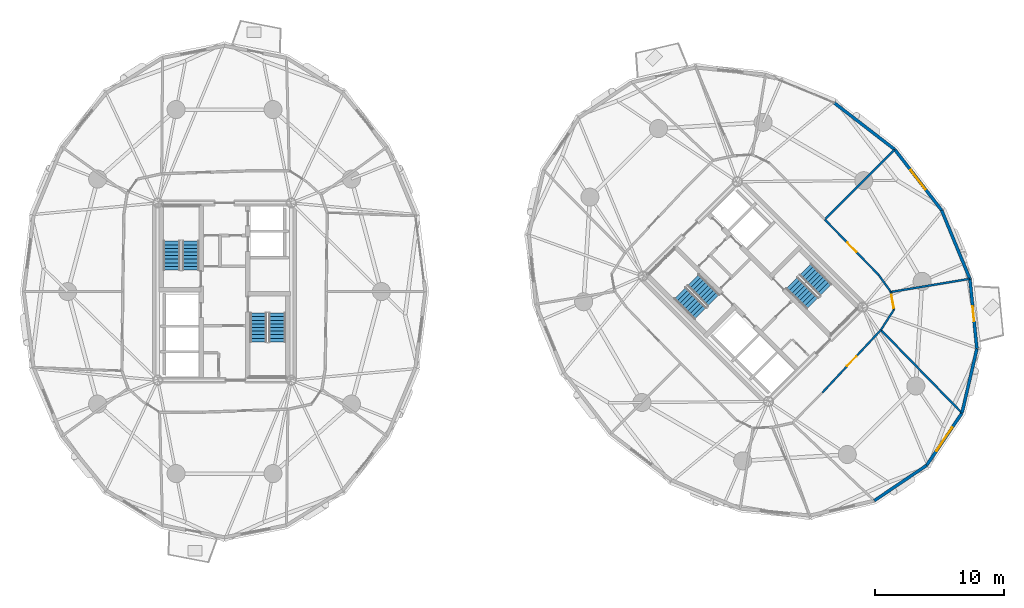
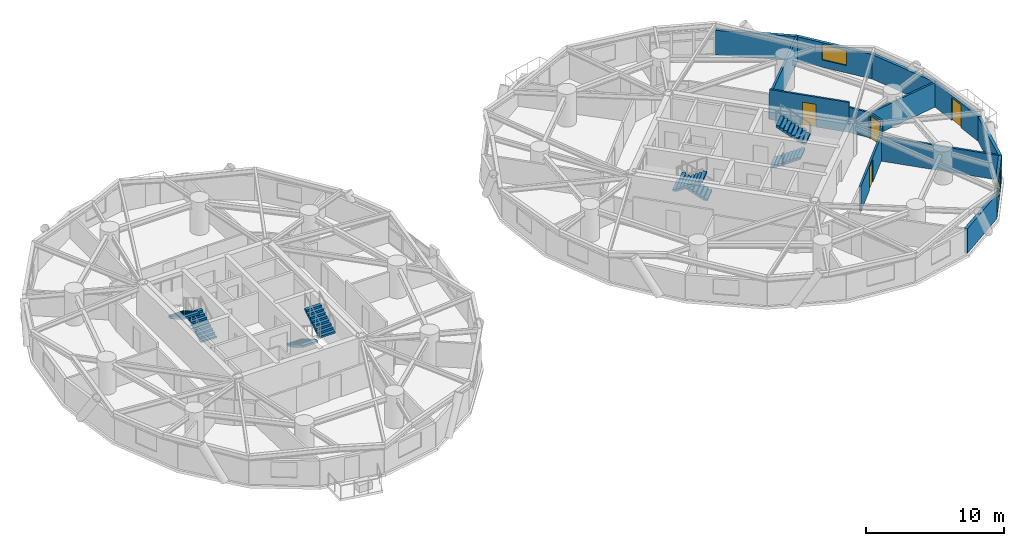
# One storey, part 14 of 17: 15 walls, 8 stair flights, 4 doors, 2 windows, 6 openings, 4 elements without a shape of their own.
"""IFC4 building model written with IfcOpenShell, lengths in metres."""

from ifc_helpers import new_model, si_unit, direction, frame, frame_2d, origin, place, context, subcontext, project, spatial, polyline, rectangle, outline, extrude, source, transform, mapped, material, layer, layer_set, type_object, element, fill, aggregate, save


model = new_model("IFC4")

# Units and contexts
model_context = context("Model", 3, precision=1e-05, world=origin(), true_north=direction((0.0, 1.0)))
body_context = subcontext(model_context, "Body", "Model", "MODEL_VIEW")
ifc_project = project(units=[si_unit("LENGTHUNIT", "METRE"), si_unit("AREAUNIT", "SQUARE_METRE"), si_unit("VOLUMEUNIT", "CUBIC_METRE"), si_unit("PLANEANGLEUNIT", "RADIAN"), si_unit("MASSUNIT", "GRAM", prefix="KILO")], contexts=[model_context])

# Site, building, storey
site_placement = place(None, origin())
site = spatial("IfcSite", under=ifc_project, at=site_placement, CompositionType="ELEMENT")
building_placement = place(site_placement, origin())
building = spatial("IfcBuilding", under=site, at=building_placement, Name="Cununo Teusaquillo Station Towers", CompositionType="ELEMENT")
storey_placement = place(building_placement, frame((0.0, 0.0, 78.8798828125)))
storey = spatial("IfcBuildingStorey", under=building, at=storey_placement, Name="L24", CompositionType="ELEMENT", Elevation=78.8798828125)

# Walls
ifc_material_1 = material(Name="Precast concrete C40/50", Category="concrete")
ifc_layer_1 = layer(ifc_material_1, 0.239990234375)
ifc_layer_set_1 = layer_set([ifc_layer_1], Name="Precast concrete C40/50")
wall_type_1 = type_object("IfcWallType", Name="WL-EXT-240", PredefinedType="SOLIDWALL", material=ifc_layer_set_1)
wall_1_placement = place(storey_placement, frame((63.811279296875, 39.145263671875, 0.0), z_axis=(0.0, 0.0, 1.0), x_axis=(0.791982052206, -0.61054437102, 0.0)))
element("IfcWall", 1, at=wall_1_placement, inside=storey, type_object=wall_type_1, Name="L24 Tower B Exterior Facade Wall C00", PredefinedType="SOLIDWALL", context=body_context, shape_type="SweptSolid", body=[
    extrude(rectangle(XDim=5.942138671875, YDim=0.239990234375, at=frame_2d((2.97119140625, 0.0))), origin(), (0.0, 0.0, 1.0), 2.17919921875),
])
wall_2_placement = place(storey_placement, frame((70.984619140625, 11.015380859375, 0.0), z_axis=(0.0, 0.0, 1.0), x_axis=(-0.828781148131, -0.559572880421, 0.0)))
element("IfcWall", 2, at=wall_2_placement, inside=storey, type_object=wall_type_1, Name="L24 Tower B Exterior Facade Wall C14", PredefinedType="SOLIDWALL", context=body_context, shape_type="SweptSolid", body=[
    extrude(rectangle(XDim=4.904541015625, YDim=0.239990234375, at=frame_2d((2.4521484375, 0.0))), origin(), (0.0, 0.0, 1.0), 2.17919921875),
])

# Wall, opening, window
wall_3_placement = place(storey_placement, frame((73.72900390625, 15.080078125, 0.0), z_axis=(0.0, 0.0, 1.0), x_axis=(-0.559572880421, -0.828781148131, 0.0)))
wall_3 = element("IfcWall", 3, at=wall_3_placement, inside=storey, type_object=wall_type_1, Name="L24 Tower B Exterior Facade Wall C15", PredefinedType="SOLIDWALL", context=body_context, shape_type="SweptSolid", body=[
    extrude(rectangle(XDim=4.904541015625, YDim=0.239990234375, at=frame_2d((2.4521484375, 0.0))), origin(), (0.0, 0.0, 1.0), 2.17919921875),
])
shared_shape_1 = source(origin(), body_context, "Body", "SweptSolid", [
    extrude(rectangle(XDim=2.199951171875, YDim=1.35009765625, at=frame_2d((1.10009765625, 0.675048828125))), frame((0.0, 0.1298828125, 0.0), z_axis=(0.0, -1.0, 0.0), x_axis=(1.0, 0.0, 0.0)), (0.0, 0.0, 1.0), 0.260009765625),
])
opening_1_placement = place(wall_3_placement, frame((1.35205078125, 0.0, 0.64990234375)))
opening_1 = element("IfcOpeningElement", 4, at=opening_1_placement, cuts=wall_3, Name="Opening WN-01", PredefinedType="OPENING", context=body_context, shape_type="MappedRepresentation", body=[
    mapped(shared_shape_1, transform((0.0, 0.0, 0.0), x_axis=(1.0, 0.0, 0.0), y_axis=(0.0, 1.0, 0.0), z_axis=(0.0, 0.0, 1.0), scale=1.0)),
])
ifc_material_2 = material(Name="Ceramic-fritted dark low-E double glazing", Category="glass")
window_type_1 = type_object("IfcWindowType", Name="WIN-FRIT-2200", PartitioningType="DOUBLE_PANEL_VERTICAL", PredefinedType="WINDOW", material=ifc_material_2)
shared_shape_2 = source(origin(), body_context, "Body", "SweptSolid", [
    extrude(rectangle(XDim=2.199951171875, YDim=1.35009765625, at=frame_2d((1.10009765625, 0.675048828125))), frame((0.0, 0.030029296875, 0.0), z_axis=(0.0, -1.0, 0.0), x_axis=(1.0, 0.0, 0.0)), (0.0, 0.0, 1.0), 0.06005859375),
])
window_1_placement = place(opening_1_placement, origin())
window_1 = element("IfcWindow", 5, at=window_1_placement, inside=storey, type_object=window_type_1, Name="L24 Tower B Facade Window C15", OverallHeight=1.35009765625, OverallWidth=2.199951171875, PartitioningType="DOUBLE_PANEL_VERTICAL", PredefinedType="WINDOW", context=body_context, shape_type="MappedRepresentation", body=[
    mapped(shared_shape_2, transform((0.0, 0.0, 0.0), x_axis=(1.0, 0.0, 0.0), y_axis=(0.0, 1.0, 0.0), z_axis=(0.0, 0.0, 1.0), scale=1.0)),
])
fill(opening_1, window_1)

# Wall
wall_4_placement = place(storey_placement, frame((74.885009765625, 20.066650390625, 0.0), z_axis=(0.0, 0.0, 1.0), x_axis=(-0.225834725257, -0.974165631126, 0.0)))
element("IfcWall", 6, at=wall_4_placement, inside=storey, type_object=wall_type_1, Name="L24 Tower B Exterior Facade Wall C16", PredefinedType="SOLIDWALL", context=body_context, shape_type="SweptSolid", body=[
    extrude(rectangle(XDim=5.118896484375, YDim=0.239990234375, at=frame_2d((2.5595703125, 0.0))), origin(), (0.0, 0.0, 1.0), 2.17919921875),
])

# Wall, opening, door
wall_5_placement = place(storey_placement, frame((74.33935546875, 25.4873046875, 0.0), z_axis=(0.0, 0.0, 1.0), x_axis=(0.10015591906, -0.994971754311, 0.0)))
wall_5 = element("IfcWall", 7, at=wall_5_placement, inside=storey, type_object=wall_type_1, Name="L24 Tower B Exterior Facade Wall C17", PredefinedType="SOLIDWALL", context=body_context, shape_type="SweptSolid", body=[
    extrude(rectangle(XDim=5.447998046875, YDim=0.239990234375, at=frame_2d((2.72412109375, 0.0))), origin(), (0.0, 0.0, 1.0), 2.17919921875),
])
shared_shape_3 = source(origin(), body_context, "Body", "SweptSolid", [
    extrude(rectangle(XDim=1.14990234375, YDim=2.0048828125, at=frame_2d((0.574951171875, 1.00244140625))), frame((0.0, 0.1298828125, 0.0), z_axis=(0.0, -1.0, 0.0), x_axis=(1.0, 0.0, 0.0)), (0.0, 0.0, 1.0), 0.260009765625),
])
opening_2_placement = place(wall_5_placement, frame((2.14892578125, 0.0, 0.0)))
opening_2 = element("IfcOpeningElement", 8, at=opening_2_placement, cuts=wall_5, Name="Opening ED-03", PredefinedType="OPENING", context=body_context, shape_type="MappedRepresentation", body=[
    mapped(shared_shape_3, transform((0.0, 0.0, 0.0), x_axis=(1.0, 0.0, 0.0), y_axis=(0.0, 1.0, 0.0), z_axis=(0.0, 0.0, 1.0), scale=1.0)),
])
ifc_material_3 = material(Name="Anodised dark bronze aluminium EN AW-6063-T6", Category="aluminium")
door_type_1 = type_object("IfcDoorType", Name="DR-EXT-BAL", OperationType="NOTDEFINED", PredefinedType="DOOR", material=ifc_material_3)
shared_shape_4 = source(origin(), body_context, "Body", "SweptSolid", [
    extrude(rectangle(XDim=1.14990234375, YDim=2.0048828125, at=frame_2d((0.574951171875, 1.00244140625))), frame((0.0, 0.02490234375, 0.0), z_axis=(0.0, -1.0, 0.0), x_axis=(1.0, 0.0, 0.0)), (0.0, 0.0, 1.0), 0.050048828125),
])
door_1_placement = place(opening_2_placement, origin())
door_1 = element("IfcDoor", 9, at=door_1_placement, inside=storey, type_object=door_type_1, Name="L24 Tower B Tree Balcony Door C17", OperationType="SINGLE_SWING_LEFT", OverallHeight=2.0048828125, OverallWidth=1.14990234375, PredefinedType="DOOR", context=body_context, shape_type="MappedRepresentation", body=[
    mapped(shared_shape_4, transform((0.0, 0.0, 0.0), x_axis=(1.0, 0.0, 0.0), y_axis=(0.0, 1.0, 0.0), z_axis=(0.0, 0.0, 1.0), scale=1.0)),
])
fill(opening_2, door_1)

# Wall
wall_6_placement = place(storey_placement, frame((72.145263671875, 30.811279296875, 0.0), z_axis=(0.0, 0.0, 1.0), x_axis=(0.381027003055, -0.924563909604, 0.0)))
element("IfcWall", 10, at=wall_6_placement, inside=storey, type_object=wall_type_1, Name="L24 Tower B Exterior Facade Wall C18", PredefinedType="SOLIDWALL", context=body_context, shape_type="SweptSolid", body=[
    extrude(rectangle(XDim=5.75830078125, YDim=0.239990234375, at=frame_2d((2.879150390625, 0.0))), origin(), (0.0, 0.0, 1.0), 2.17919921875),
])

# Wall, opening, window
wall_7_placement = place(storey_placement, frame((68.517333984375, 35.517333984375, 0.0), z_axis=(0.0, 0.0, 1.0), x_axis=(0.61054437102, -0.791982052206, 0.0)))
wall_7 = element("IfcWall", 11, at=wall_7_placement, inside=storey, type_object=wall_type_1, Name="L24 Tower B Exterior Facade Wall C19", PredefinedType="SOLIDWALL", context=body_context, shape_type="SweptSolid", body=[
    extrude(rectangle(XDim=5.942138671875, YDim=0.239990234375, at=frame_2d((2.97119140625, 0.0))), origin(), (0.0, 0.0, 1.0), 2.17919921875),
])
shared_shape_5 = source(origin(), body_context, "Body", "SweptSolid", [
    extrude(rectangle(XDim=1.89990234375, YDim=1.35009765625, at=frame_2d((0.949951171875, 0.675048828125))), frame((0.0, 0.1298828125, 0.0), z_axis=(0.0, -1.0, 0.0), x_axis=(1.0, 0.0, 0.0)), (0.0, 0.0, 1.0), 0.260009765625),
])
opening_3_placement = place(wall_7_placement, frame((2.02099609375, 0.0, 0.64990234375)))
opening_3 = element("IfcOpeningElement", 12, at=opening_3_placement, cuts=wall_7, Name="Opening WN-02", PredefinedType="OPENING", context=body_context, shape_type="MappedRepresentation", body=[
    mapped(shared_shape_5, transform((0.0, 0.0, 0.0), x_axis=(1.0, 0.0, 0.0), y_axis=(0.0, 1.0, 0.0), z_axis=(0.0, 0.0, 1.0), scale=1.0)),
])
ifc_material_4 = material(Name="Operable acoustic tinted low-E double glazing", Category="glass")
window_type_2 = type_object("IfcWindowType", Name="WIN-OPER-1900", PartitioningType="DOUBLE_PANEL_VERTICAL", PredefinedType="WINDOW", material=ifc_material_4)
shared_shape_6 = source(origin(), body_context, "Body", "SweptSolid", [
    extrude(rectangle(XDim=1.89990234375, YDim=1.35009765625, at=frame_2d((0.949951171875, 0.675048828125))), frame((0.0, 0.030029296875, 0.0), z_axis=(0.0, -1.0, 0.0), x_axis=(1.0, 0.0, 0.0)), (0.0, 0.0, 1.0), 0.06005859375),
])
window_2_placement = place(opening_3_placement, origin())
window_2 = element("IfcWindow", 13, at=window_2_placement, inside=storey, type_object=window_type_2, Name="L24 Tower B Facade Window C19", OverallHeight=1.35009765625, OverallWidth=1.89990234375, PartitioningType="DOUBLE_PANEL_VERTICAL", PredefinedType="WINDOW", context=body_context, shape_type="MappedRepresentation", body=[
    mapped(shared_shape_6, transform((0.0, 0.0, 0.0), x_axis=(1.0, 0.0, 0.0), y_axis=(0.0, 1.0, 0.0), z_axis=(0.0, 0.0, 1.0), scale=1.0)),
])
fill(opening_3, window_2)

# Wall, opening, door
ifc_material_5 = material(Name="Fire-rated gypsum plasterboard partition assembly", Category="gypsum")
ifc_layer_2 = layer(ifc_material_5, 0.14990234375)
ifc_layer_set_2 = layer_set([ifc_layer_2], Name="Fire-rated gypsum plasterboard partition assembly")
wall_type_2 = type_object("IfcWallType", Name="WL-PART-150", PredefinedType="PARTITIONING", material=ifc_layer_set_2)
wall_8_placement = place(storey_placement, frame((62.902587890625, 16.66650390625, 0.0), z_axis=(0.0, 0.0, 1.0), x_axis=(0.682371947497, 0.731005147225, 0.0)))
wall_8 = element("IfcWall", 14, at=wall_8_placement, inside=storey, type_object=wall_type_2, Name="L24 Tower B Corridor Ring Wall C15", PredefinedType="PARTITIONING", context=body_context, shape_type="SweptSolid", body=[
    extrude(rectangle(XDim=6.6416015625, YDim=0.14990234375, at=frame_2d((3.32080078125, 0.0))), origin(), (0.0, 0.0, 1.0), 2.22509765625),
])
shared_shape_7 = source(origin(), body_context, "Body", "SweptSolid", [
    extrude(rectangle(XDim=1.050048828125, YDim=2.014892578125, at=frame_2d((0.52490234375, 1.00732421875))), frame((0.0, 0.0849609375, 0.0), z_axis=(0.0, -1.0, 0.0), x_axis=(1.0, 0.0, 0.0)), (0.0, 0.0, 1.0), 0.169921875),
])
opening_4_placement = place(wall_8_placement, frame((2.7958984375, 0.0, 0.0)))
opening_4 = element("IfcOpeningElement", 15, at=opening_4_placement, cuts=wall_8, Name="Opening D-SU1", PredefinedType="OPENING", context=body_context, shape_type="MappedRepresentation", body=[
    mapped(shared_shape_7, transform((0.0, 0.0, 0.0), x_axis=(1.0, 0.0, 0.0), y_axis=(0.0, 1.0, 0.0), z_axis=(0.0, 0.0, 1.0), scale=1.0)),
])
ifc_material_6 = material(Name="Acoustic solid-core hardwood leaf assembly", Category="wood")
door_type_2 = type_object("IfcDoorType", Name="DR-SUITE-1050", OperationType="NOTDEFINED", PredefinedType="DOOR", material=ifc_material_6)
shared_shape_8 = source(origin(), body_context, "Body", "SweptSolid", [
    extrude(rectangle(XDim=1.050048828125, YDim=2.014892578125, at=frame_2d((0.52490234375, 1.00732421875))), frame((0.0, 0.02490234375, 0.0), z_axis=(0.0, -1.0, 0.0), x_axis=(1.0, 0.0, 0.0)), (0.0, 0.0, 1.0), 0.050048828125),
])
door_2_placement = place(opening_4_placement, origin())
door_2 = element("IfcDoor", 16, at=door_2_placement, inside=storey, type_object=door_type_2, Name="L24 Tower B Client Hospitality Pantry Entrance Door", OperationType="SINGLE_SWING_LEFT", OverallHeight=2.014892578125, OverallWidth=1.050048828125, PredefinedType="DOOR", context=body_context, shape_type="MappedRepresentation", body=[
    mapped(shared_shape_8, transform((0.0, 0.0, 0.0), x_axis=(1.0, 0.0, 0.0), y_axis=(0.0, 1.0, 0.0), z_axis=(0.0, 0.0, 1.0), scale=1.0)),
])
fill(opening_4, door_2)

# Wall
wall_9_placement = place(storey_placement, frame((67.4345703125, 21.521484375, 0.0), z_axis=(0.0, 0.0, 1.0), x_axis=(0.540777197838, 0.841165870859, 0.0)))
element("IfcWall", 17, at=wall_9_placement, inside=storey, type_object=wall_type_2, Name="L24 Tower B Corridor Ring Wall C16", PredefinedType="PARTITIONING", context=body_context, shape_type="SweptSolid", body=[
    extrude(rectangle(XDim=1.887939453125, YDim=0.14990234375, at=frame_2d((0.94384765625, 0.0))), origin(), (0.0, 0.0, 1.0), 2.22509765625),
])

# Wall, opening, door
wall_10_placement = place(storey_placement, frame((68.45556640625, 23.109619140625, 0.0), z_axis=(0.0, 0.0, 1.0), x_axis=(-0.1772522795, 0.984165448191, 0.0)))
wall_10 = element("IfcWall", 18, at=wall_10_placement, inside=storey, type_object=wall_type_2, Name="L24 Tower B Corridor Ring Wall C17", PredefinedType="PARTITIONING", context=body_context, shape_type="SweptSolid", body=[
    extrude(rectangle(XDim=1.381591796875, YDim=0.14990234375, at=frame_2d((0.69091796875, 0.0))), origin(), (0.0, 0.0, 1.0), 2.22509765625),
])
opening_5_placement = place(wall_10_placement, frame((0.1201171875, 0.0, 0.0)))
opening_5 = element("IfcOpeningElement", 19, at=opening_5_placement, cuts=wall_10, Name="Opening D-SU1", PredefinedType="OPENING", context=body_context, shape_type="MappedRepresentation", body=[
    mapped(shared_shape_7, transform((0.0, 0.0, 0.0), x_axis=(1.0, 0.0, 0.0), y_axis=(0.0, 1.0, 0.0), z_axis=(0.0, 0.0, 1.0), scale=1.0)),
])
door_3_placement = place(opening_5_placement, origin())
door_3 = element("IfcDoor", 20, at=door_3_placement, inside=storey, type_object=door_type_2, Name="L24 Tower B Document Archive & Server Room Entrance Door", OperationType="SINGLE_SWING_RIGHT", OverallHeight=2.014892578125, OverallWidth=1.050048828125, PredefinedType="DOOR", context=body_context, shape_type="MappedRepresentation", body=[
    mapped(shared_shape_8, transform((0.0, 0.0, 0.0), x_axis=(1.0, 0.0, 0.0), y_axis=(0.0, 1.0, 0.0), z_axis=(0.0, 0.0, 1.0), scale=1.0)),
])
fill(opening_5, door_3)

# Wall
wall_11_placement = place(storey_placement, frame((68.210693359375, 24.46923828125, 0.0), z_axis=(0.0, 0.0, 1.0), x_axis=(-0.583012141368, 0.812463441034, 0.0)))
element("IfcWall", 21, at=wall_11_placement, inside=storey, type_object=wall_type_2, Name="L24 Tower B Corridor Ring Wall C18", PredefinedType="PARTITIONING", context=body_context, shape_type="SweptSolid", body=[
    extrude(rectangle(XDim=1.613037109375, YDim=0.14990234375, at=frame_2d((0.806640625, 0.0))), origin(), (0.0, 0.0, 1.0), 2.22509765625),
])

# Wall, opening, door
wall_12_placement = place(storey_placement, frame((67.270263671875, 25.77978515625, 0.0), z_axis=(0.0, 0.0, 1.0), x_axis=(-0.696847842907, 0.717218992942, 0.0)))
wall_12 = element("IfcWall", 22, at=wall_12_placement, inside=storey, type_object=wall_type_2, Name="L24 Tower B Corridor Ring Wall C19", PredefinedType="PARTITIONING", context=body_context, shape_type="SweptSolid", body=[
    extrude(rectangle(XDim=6.00439453125, YDim=0.14990234375, at=frame_2d((3.002197265625, 0.0))), origin(), (0.0, 0.0, 1.0), 2.655029296875),
])
shared_shape_9 = source(origin(), body_context, "Body", "SweptSolid", [
    extrude(rectangle(XDim=1.0, YDim=2.014892578125, at=frame_2d((0.5, 1.00732421875))), frame((0.0, 0.0849609375, 0.0), z_axis=(0.0, -1.0, 0.0), x_axis=(1.0, 0.0, 0.0)), (0.0, 0.0, 1.0), 0.169921875),
])
opening_6_placement = place(wall_12_placement, frame((2.502197265625, 0.0, 0.0)))
opening_6 = element("IfcOpeningElement", 23, at=opening_6_placement, cuts=wall_12, Name="Opening D-AC1", PredefinedType="OPENING", context=body_context, shape_type="MappedRepresentation", body=[
    mapped(shared_shape_9, transform((0.0, 0.0, 0.0), x_axis=(1.0, 0.0, 0.0), y_axis=(0.0, 1.0, 0.0), z_axis=(0.0, 0.0, 1.0), scale=1.0)),
])
ifc_material_7 = material(Name="Acoustic solid-core hardwood leaf assembly", Category="wood")
door_type_3 = type_object("IfcDoorType", Name="DR-ACC-1000", OperationType="NOTDEFINED", PredefinedType="DOOR", material=ifc_material_7)
shared_shape_10 = source(origin(), body_context, "Body", "SweptSolid", [
    extrude(rectangle(XDim=1.0, YDim=2.014892578125, at=frame_2d((0.5, 1.00732421875))), frame((0.0, 0.02490234375, 0.0), z_axis=(0.0, -1.0, 0.0), x_axis=(1.0, 0.0, 0.0)), (0.0, 0.0, 1.0), 0.050048828125),
])
door_4_placement = place(opening_6_placement, origin())
door_4 = element("IfcDoor", 24, at=door_4_placement, inside=storey, type_object=door_type_3, Name="L24 Tower B Public Accessible Restroom WC Entrance Door", OperationType="SINGLE_SWING_LEFT", OverallHeight=2.014892578125, OverallWidth=1.0, PredefinedType="DOOR", context=body_context, shape_type="MappedRepresentation", body=[
    mapped(shared_shape_10, transform((0.0, 0.0, 0.0), x_axis=(1.0, 0.0, 0.0), y_axis=(0.0, 1.0, 0.0), z_axis=(0.0, 0.0, 1.0), scale=1.0)),
])
fill(opening_6, door_4)

# Walls
ifc_material_8 = material(Name="Fire-rated gypsum plasterboard partition assembly", Category="gypsum")
ifc_layer_3 = layer(ifc_material_8, 0.159912109375)
ifc_layer_set_3 = layer_set([ifc_layer_3], Name="Fire-rated gypsum plasterboard partition assembly")
wall_type_3 = type_object("IfcWallType", Name="WL-PART-160", PredefinedType="PARTITIONING", material=ifc_layer_set_3)
wall_13_placement = place(storey_placement, frame((63.086181640625, 30.086181640625, 0.0), z_axis=(0.0, 0.0, 1.0), x_axis=(0.707106781187, 0.707106781187, 0.0)))
element("IfcWall", 25, at=wall_13_placement, inside=storey, type_object=wall_type_3, Name="L24 Tower B Radial Suite Partition R01", PredefinedType="PARTITIONING", context=body_context, shape_type="SweptSolid", body=[
    extrude(rectangle(XDim=7.6611328125, YDim=0.159912109375, at=frame_2d((3.83056640625, 0.0))), origin(), (0.0, 0.0, 1.0), 2.17919921875),
])
wall_14_placement = place(storey_placement, frame((67.4345703125, 21.521484375, 0.0), z_axis=(0.0, 0.0, 1.0), x_axis=(0.6983880073, -0.715719352302, 0.0)))
element("IfcWall", 26, at=wall_14_placement, inside=storey, type_object=wall_type_3, Name="L24 Tower B Radial Suite Partition R09", PredefinedType="PARTITIONING", context=body_context, shape_type="SweptSolid", body=[
    extrude(rectangle(XDim=8.9873046875, YDim=0.159912109375, at=frame_2d((4.49365234375, 0.0))), origin(), (0.0, 0.0, 1.0), 2.17919921875),
])
wall_15_placement = place(storey_placement, frame((68.210693359375, 24.46923828125, 0.0), z_axis=(0.0, 0.0, 1.0), x_axis=(0.986479033329, 0.163887512651, 0.0)))
element("IfcWall", 27, at=wall_15_placement, inside=storey, type_object=wall_type_3, Name="L24 Tower B Radial Suite Partition R10", PredefinedType="PARTITIONING", context=body_context, shape_type="SweptSolid", body=[
    extrude(rectangle(XDim=6.192626953125, YDim=0.159912109375, at=frame_2d((3.09619140625, 0.0))), origin(), (0.0, 0.0, 1.0), 2.17919921875),
])

# Stair, stair flights
ifc_material_9 = material(Name="Concrete C50/60", Category="concrete")
stair_type = type_object("IfcStairType", Name="ST-TWR-1300", PredefinedType="HALF_TURN_STAIR", material=ifc_material_9)
stair_1_placement = place(storey_placement, origin())
stair_1 = element("IfcStair", 28, at=stair_1_placement, inside=storey, type_object=stair_type, Name="L24 Tower A Protected Core Exit Stair 1", PredefinedType="HALF_TURN_STAIR")
ifc_material_10 = material(Name="Concrete C50/60", Category="concrete")
stair_flight_type = type_object("IfcStairFlightType", Name="SFL-TWR-1300", PredefinedType="STRAIGHT", material=ifc_material_10)
stair_flight_1_placement = place(storey_placement, frame((13.8701171875, 26.169921875, 0.0), z_axis=(0.0, 0.0, 1.0), x_axis=(0.0, 1.0, 0.0)))
stair_flight_1 = element("IfcStairFlight", 29, at=stair_flight_1_placement, type_object=stair_flight_type, Name="ST-T1-1 flight 1", NumberOfRisers=9, NumberOfTreads=8, PredefinedType="STRAIGHT", RiserHeight=0.161666667, TreadLength=0.28, context=body_context, shape_type="SweptSolid", body=[
    extrude(outline(polyline([(0.0, 0.0), (0.0, 0.16162109375), (0.280029296875, 0.16162109375), (0.280029296875, 0.3232421875), (0.56005859375, 0.3232421875), (0.56005859375, 0.485107421875), (0.840087890625, 0.485107421875), (0.840087890625, 0.646728515625), (1.1201171875, 0.646728515625), (1.1201171875, 0.808349609375), (1.39990234375, 0.808349609375), (1.39990234375, 0.969970703125), (1.679931640625, 0.969970703125), (1.679931640625, 1.131591796875), (1.9599609375, 1.131591796875), (1.9599609375, 1.293212890625), (2.239990234375, 1.293212890625), (2.239990234375, 1.455078125), (2.239990234375, 1.1201171875), (0.2998046875, 0.0), (0.0, 0.0)])), frame((0.0, 0.64990234375, 0.0), z_axis=(0.0, -1.0, 0.0), x_axis=(1.0, 0.0, 0.0)), (0.0, 0.0, 1.0), 1.300048828125),
])
stair_flight_2_placement = place(storey_placement, frame((12.409912109375, 28.409912109375, 1.455078125), z_axis=(0.0, 0.0, 1.0), x_axis=(0.0, -1.0, 0.0)))
stair_flight_2 = element("IfcStairFlight", 30, at=stair_flight_2_placement, type_object=stair_flight_type, Name="ST-T1-1 flight 2", NumberOfRisers=9, NumberOfTreads=8, PredefinedType="STRAIGHT", RiserHeight=0.161666667, TreadLength=0.28, context=body_context, shape_type="SweptSolid", body=[
    extrude(outline(polyline([(0.0, 0.0), (0.0, 0.16162109375), (0.280029296875, 0.16162109375), (0.280029296875, 0.3232421875), (0.56005859375, 0.3232421875), (0.56005859375, 0.485107421875), (0.840087890625, 0.485107421875), (0.840087890625, 0.646728515625), (1.1201171875, 0.646728515625), (1.1201171875, 0.808349609375), (1.39990234375, 0.808349609375), (1.39990234375, 0.969970703125), (1.679931640625, 0.969970703125), (1.679931640625, 1.131591796875), (1.9599609375, 1.131591796875), (1.9599609375, 1.293212890625), (2.239990234375, 1.293212890625), (2.239990234375, 1.455078125), (2.239990234375, 1.1201171875), (0.2998046875, 0.0), (0.0, 0.0)])), frame((0.0, 0.64990234375, 0.0), z_axis=(0.0, -1.0, 0.0), x_axis=(1.0, 0.0, 0.0)), (0.0, 0.0, 1.0), 1.300048828125),
])
aggregate(stair_1, [stair_flight_1, stair_flight_2])

stair_2_placement = place(storey_placement, origin())
stair_2 = element("IfcStair", 31, at=stair_2_placement, inside=storey, type_object=stair_type, Name="L24 Tower A Protected Core Exit Stair 2", PredefinedType="HALF_TURN_STAIR")
stair_flight_3_placement = place(storey_placement, frame((19.1298828125, 22.830078125, 0.0), z_axis=(0.0, 0.0, 1.0), x_axis=(0.0, -1.0, 0.0)))
stair_flight_3 = element("IfcStairFlight", 32, at=stair_flight_3_placement, type_object=stair_flight_type, Name="ST-T1-2 flight 1", NumberOfRisers=9, NumberOfTreads=8, PredefinedType="STRAIGHT", RiserHeight=0.161666667, TreadLength=0.28, context=body_context, shape_type="SweptSolid", body=[
    extrude(outline(polyline([(0.0, 0.0), (0.0, 0.16162109375), (0.280029296875, 0.16162109375), (0.280029296875, 0.3232421875), (0.56005859375, 0.3232421875), (0.56005859375, 0.485107421875), (0.840087890625, 0.485107421875), (0.840087890625, 0.646728515625), (1.1201171875, 0.646728515625), (1.1201171875, 0.808349609375), (1.39990234375, 0.808349609375), (1.39990234375, 0.969970703125), (1.679931640625, 0.969970703125), (1.679931640625, 1.131591796875), (1.9599609375, 1.131591796875), (1.9599609375, 1.293212890625), (2.239990234375, 1.293212890625), (2.239990234375, 1.455078125), (2.239990234375, 1.1201171875), (0.2998046875, 0.0), (0.0, 0.0)])), frame((0.0, 0.64990234375, 0.0), z_axis=(0.0, -1.0, 0.0), x_axis=(1.0, 0.0, 0.0)), (0.0, 0.0, 1.0), 1.300048828125),
])
stair_flight_4_placement = place(storey_placement, frame((20.590087890625, 20.590087890625, 1.455078125), z_axis=(0.0, 0.0, 1.0), x_axis=(0.0, 1.0, 0.0)))
stair_flight_4 = element("IfcStairFlight", 33, at=stair_flight_4_placement, type_object=stair_flight_type, Name="ST-T1-2 flight 2", NumberOfRisers=9, NumberOfTreads=8, PredefinedType="STRAIGHT", RiserHeight=0.161666667, TreadLength=0.28, context=body_context, shape_type="SweptSolid", body=[
    extrude(outline(polyline([(0.0, 0.0), (0.0, 0.16162109375), (0.280029296875, 0.16162109375), (0.280029296875, 0.3232421875), (0.56005859375, 0.3232421875), (0.56005859375, 0.485107421875), (0.840087890625, 0.485107421875), (0.840087890625, 0.646728515625), (1.1201171875, 0.646728515625), (1.1201171875, 0.808349609375), (1.39990234375, 0.808349609375), (1.39990234375, 0.969970703125), (1.679931640625, 0.969970703125), (1.679931640625, 1.131591796875), (1.9599609375, 1.131591796875), (1.9599609375, 1.293212890625), (2.239990234375, 1.293212890625), (2.239990234375, 1.455078125), (2.239990234375, 1.1201171875), (0.2998046875, 0.0), (0.0, 0.0)])), frame((0.0, 0.64990234375, 0.0), z_axis=(0.0, -1.0, 0.0), x_axis=(1.0, 0.0, 0.0)), (0.0, 0.0, 1.0), 1.300048828125),
])
aggregate(stair_2, [stair_flight_3, stair_flight_4])

stair_3_placement = place(storey_placement, origin())
stair_3 = element("IfcStair", 34, at=stair_3_placement, inside=storey, type_object=stair_type, Name="L24 Tower B Protected Core Exit Stair 1", PredefinedType="HALF_TURN_STAIR")
stair_flight_5_placement = place(storey_placement, frame((54.45947265625, 23.8212890625, 0.0), z_axis=(0.0, 0.0, 1.0), x_axis=(-0.707106781187, 0.707106781187, 0.0)))
stair_flight_5 = element("IfcStairFlight", 35, at=stair_flight_5_placement, type_object=stair_flight_type, Name="ST-T2-1 flight 1", NumberOfRisers=9, NumberOfTreads=8, PredefinedType="STRAIGHT", RiserHeight=0.161666667, TreadLength=0.28, context=body_context, shape_type="SweptSolid", body=[
    extrude(outline(polyline([(0.0, 0.0), (0.0, 0.16162109375), (0.280029296875, 0.16162109375), (0.280029296875, 0.3232421875), (0.56005859375, 0.3232421875), (0.56005859375, 0.485107421875), (0.840087890625, 0.485107421875), (0.840087890625, 0.646728515625), (1.1201171875, 0.646728515625), (1.1201171875, 0.808349609375), (1.39990234375, 0.808349609375), (1.39990234375, 0.969970703125), (1.679931640625, 0.969970703125), (1.679931640625, 1.131591796875), (1.9599609375, 1.131591796875), (1.9599609375, 1.293212890625), (2.239990234375, 1.293212890625), (2.239990234375, 1.455078125), (2.239990234375, 1.1201171875), (0.2998046875, 0.0), (0.0, 0.0)])), frame((0.0, 0.64990234375, 0.0), z_axis=(0.0, -1.0, 0.0), x_axis=(1.0, 0.0, 0.0)), (0.0, 0.0, 1.0), 1.300048828125),
])
stair_flight_6_placement = place(storey_placement, frame((51.84326171875, 24.372802734375, 1.455078125), z_axis=(0.0, 0.0, 1.0), x_axis=(0.707106781187, -0.707106781187, 0.0)))
stair_flight_6 = element("IfcStairFlight", 36, at=stair_flight_6_placement, type_object=stair_flight_type, Name="ST-T2-1 flight 2", NumberOfRisers=9, NumberOfTreads=8, PredefinedType="STRAIGHT", RiserHeight=0.161666667, TreadLength=0.28, context=body_context, shape_type="SweptSolid", body=[
    extrude(outline(polyline([(0.0, 0.0), (0.0, 0.16162109375), (0.280029296875, 0.16162109375), (0.280029296875, 0.3232421875), (0.56005859375, 0.3232421875), (0.56005859375, 0.485107421875), (0.840087890625, 0.485107421875), (0.840087890625, 0.646728515625), (1.1201171875, 0.646728515625), (1.1201171875, 0.808349609375), (1.39990234375, 0.808349609375), (1.39990234375, 0.969970703125), (1.679931640625, 0.969970703125), (1.679931640625, 1.131591796875), (1.9599609375, 1.131591796875), (1.9599609375, 1.293212890625), (2.239990234375, 1.293212890625), (2.239990234375, 1.455078125), (2.239990234375, 1.1201171875), (0.2998046875, 0.0), (0.0, 0.0)])), frame((0.0, 0.64990234375, 0.0), z_axis=(0.0, -1.0, 0.0), x_axis=(1.0, 0.0, 0.0)), (0.0, 0.0, 1.0), 1.300048828125),
])
aggregate(stair_3, [stair_flight_5, stair_flight_6])

stair_4_placement = place(storey_placement, origin())
stair_4 = element("IfcStair", 37, at=stair_4_placement, inside=storey, type_object=stair_type, Name="L24 Tower B Protected Core Exit Stair 2", PredefinedType="HALF_TURN_STAIR")
stair_flight_7_placement = place(storey_placement, frame((60.54052734375, 25.1787109375, 0.0), z_axis=(0.0, 0.0, 1.0), x_axis=(0.707106781187, -0.707106781187, 0.0)))
stair_flight_7 = element("IfcStairFlight", 38, at=stair_flight_7_placement, type_object=stair_flight_type, Name="ST-T2-2 flight 1", NumberOfRisers=9, NumberOfTreads=8, PredefinedType="STRAIGHT", RiserHeight=0.161666667, TreadLength=0.28, context=body_context, shape_type="SweptSolid", body=[
    extrude(outline(polyline([(0.0, 0.0), (0.0, 0.16162109375), (0.280029296875, 0.16162109375), (0.280029296875, 0.3232421875), (0.56005859375, 0.3232421875), (0.56005859375, 0.485107421875), (0.840087890625, 0.485107421875), (0.840087890625, 0.646728515625), (1.1201171875, 0.646728515625), (1.1201171875, 0.808349609375), (1.39990234375, 0.808349609375), (1.39990234375, 0.969970703125), (1.679931640625, 0.969970703125), (1.679931640625, 1.131591796875), (1.9599609375, 1.131591796875), (1.9599609375, 1.293212890625), (2.239990234375, 1.293212890625), (2.239990234375, 1.455078125), (2.239990234375, 1.1201171875), (0.2998046875, 0.0), (0.0, 0.0)])), frame((0.0, 0.64990234375, 0.0), z_axis=(0.0, -1.0, 0.0), x_axis=(1.0, 0.0, 0.0)), (0.0, 0.0, 1.0), 1.300048828125),
])
stair_flight_8_placement = place(storey_placement, frame((63.15673828125, 24.627197265625, 1.455078125), z_axis=(0.0, 0.0, 1.0), x_axis=(-0.707106781187, 0.707106781187, 0.0)))
stair_flight_8 = element("IfcStairFlight", 39, at=stair_flight_8_placement, type_object=stair_flight_type, Name="ST-T2-2 flight 2", NumberOfRisers=9, NumberOfTreads=8, PredefinedType="STRAIGHT", RiserHeight=0.161666667, TreadLength=0.28, context=body_context, shape_type="SweptSolid", body=[
    extrude(outline(polyline([(0.0, 0.0), (0.0, 0.16162109375), (0.280029296875, 0.16162109375), (0.280029296875, 0.3232421875), (0.56005859375, 0.3232421875), (0.56005859375, 0.485107421875), (0.840087890625, 0.485107421875), (0.840087890625, 0.646728515625), (1.1201171875, 0.646728515625), (1.1201171875, 0.808349609375), (1.39990234375, 0.808349609375), (1.39990234375, 0.969970703125), (1.679931640625, 0.969970703125), (1.679931640625, 1.131591796875), (1.9599609375, 1.131591796875), (1.9599609375, 1.293212890625), (2.239990234375, 1.293212890625), (2.239990234375, 1.455078125), (2.239990234375, 1.1201171875), (0.2998046875, 0.0), (0.0, 0.0)])), frame((0.0, 0.64990234375, 0.0), z_axis=(0.0, -1.0, 0.0), x_axis=(1.0, 0.0, 0.0)), (0.0, 0.0, 1.0), 1.300048828125),
])
aggregate(stair_4, [stair_flight_7, stair_flight_8])

save(model, "model.ifc")
